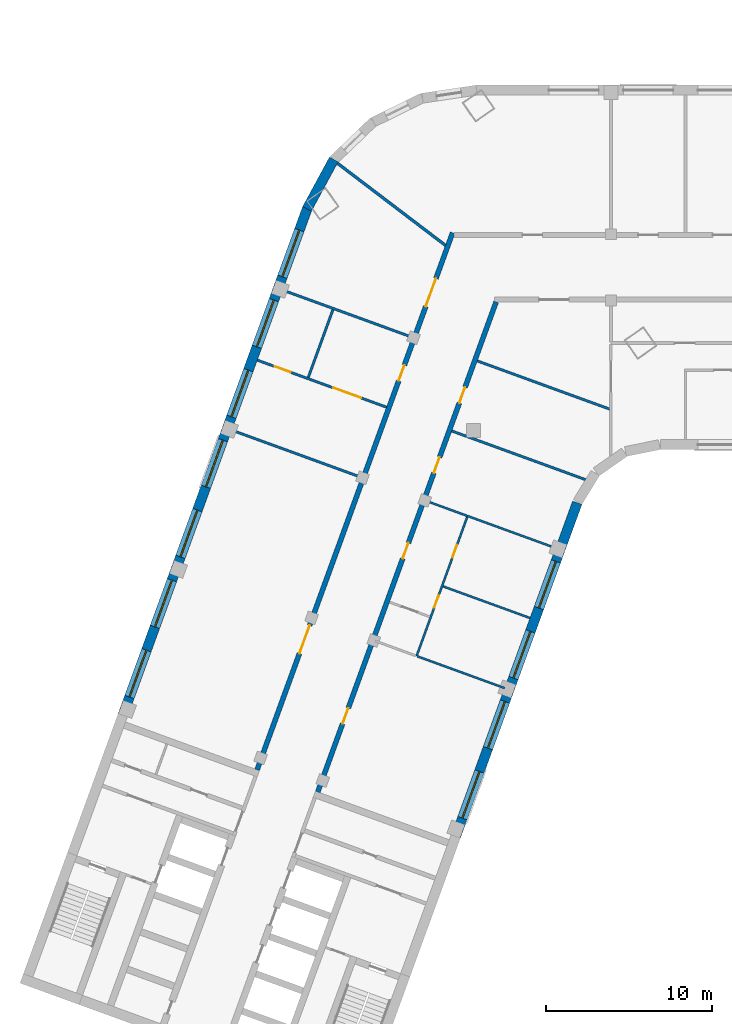
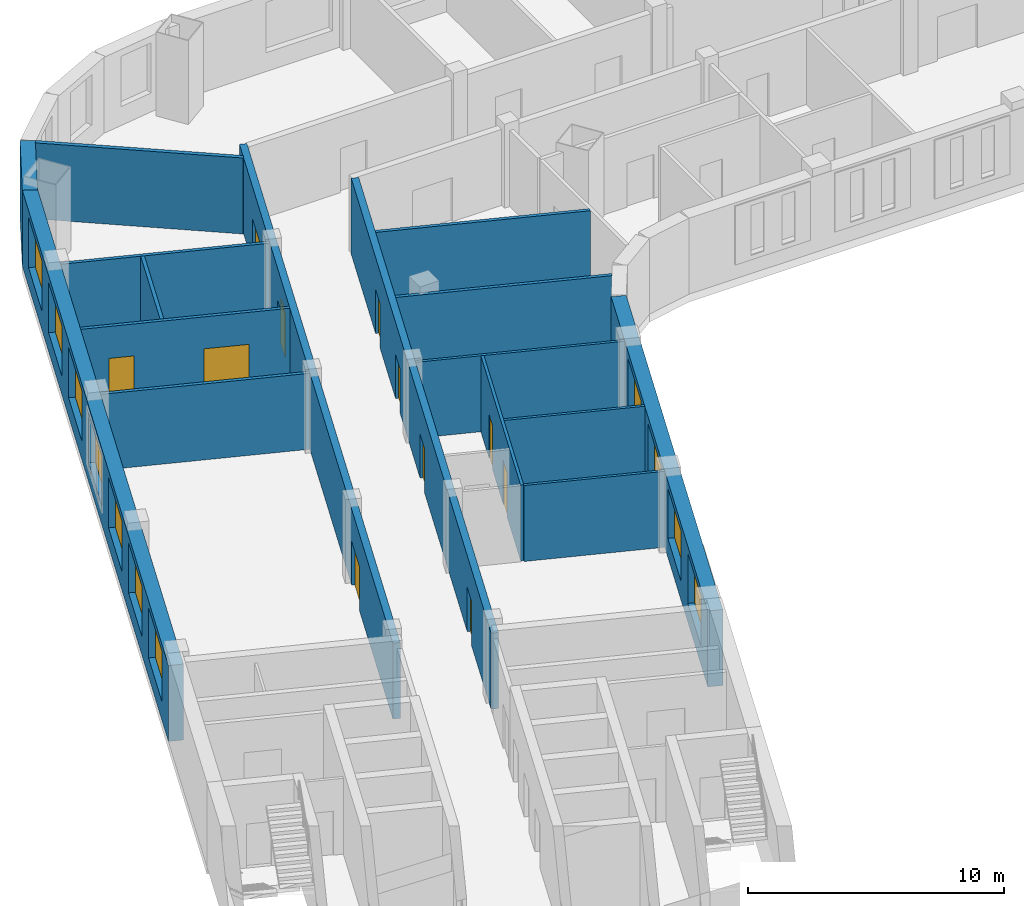
# One storey, part 3 of 10: 16 walls, 11 doors, 11 windows, 22 openings.
"""IFC4 building model written with IfcOpenShell, lengths in metres."""

from ifc_helpers import new_model, si_unit, direction, frame, frame_2d, origin, place, context, subcontext, project, spatial, rectangle, extrude, material, layer, layer_set, type_object, element, fill, save


model = new_model("IFC4")

# Units and contexts
model_context = context("Model", 3, precision=1e-05, world=origin(), true_north=direction((0.0, 1.0)))
body_context = subcontext(model_context, "Body", "Model", "MODEL_VIEW")
ifc_project = project(units=[si_unit("LENGTHUNIT", "METRE"), si_unit("AREAUNIT", "SQUARE_METRE"), si_unit("VOLUMEUNIT", "CUBIC_METRE"), si_unit("PLANEANGLEUNIT", "RADIAN"), si_unit("MASSUNIT", "GRAM", prefix="KILO")], contexts=[model_context])

# Site, building, storey
site_placement = place(None, origin())
site = spatial("IfcSite", under=ifc_project, at=site_placement, CompositionType="ELEMENT")
building_placement = place(site_placement, origin())
building = spatial("IfcBuilding", under=site, at=building_placement, Name="Skarvind Civic Tower", CompositionType="ELEMENT")
storey_placement = place(building_placement, frame((0.0, 0.0, 101.0)))
storey = spatial("IfcBuildingStorey", under=building, at=storey_placement, Name="L23", CompositionType="ELEMENT", Elevation=101.0)

# Wall
ifc_material_1 = material(Name="Acoustic gypsum board on steel studs", Category="steel")
ifc_layer_1 = layer(ifc_material_1, 0.175048828125)
ifc_layer_set_1 = layer_set([ifc_layer_1], Name="ACOUSTIC MEETING-ROOM PARTITION 175")
wall_type_1 = type_object("IfcWallType", Name="ACOUSTIC MEETING-ROOM PARTITION 175", PredefinedType="PARTITIONING", material=ifc_layer_set_1)
wall_1_placement = place(storey_placement, frame((44.256103515625, 129.326904296875, 0.0), z_axis=(0.0, 0.0, 1.0), x_axis=(-0.796040504107, 0.605243352563, 0.0)))
element("IfcWall", 1, at=wall_1_placement, inside=storey, type_object=wall_type_1, Name="Partition 23.013", PredefinedType="PARTITIONING", context=body_context, shape_type="SweptSolid", body=[
    extrude(rectangle(XDim=8.197021484375, YDim=0.175048828125, at=frame_2d((4.0986328125, 0.0))), origin(), (0.0, 0.0, 1.0), 3.625),
])

# Wall, openings, doors
ifc_material_2 = material(Name="Fire-rated gypsum board on steel studs", Category="steel")
ifc_layer_2 = layer(ifc_material_2, 0.300048828125)
ifc_layer_set_2 = layer_set([ifc_layer_2], Name="CORRIDOR WALL 300")
wall_type_2 = type_object("IfcWallType", Name="CORRIDOR WALL 300", PredefinedType="PARTITIONING", material=ifc_layer_set_2)
wall_2_placement = place(storey_placement, frame((32.881103515625, 97.656982421875, 0.0), z_axis=(0.0, 0.0, 1.0), x_axis=(0.342017360004, 0.939693633828, 0.0)))
wall_2 = element("IfcWall", 2, at=wall_2_placement, inside=storey, type_object=wall_type_2, Name="Partition 23.002", PredefinedType="PARTITIONING", context=body_context, shape_type="SweptSolid", body=[
    extrude(rectangle(XDim=34.515625, YDim=0.300048828125, at=frame_2d((17.2578125, 0.0))), origin(), (0.0, 0.0, 1.0), 3.625),
])
opening_1_placement = place(wall_2_placement, frame((7.474853515625, 0.0, 0.0)))
opening_1 = element("IfcOpeningElement", 3, at=opening_1_placement, cuts=wall_2, Name="Opening L23-D015", PredefinedType="OPENING", context=body_context, shape_type="SweptSolid", body=[
    extrude(rectangle(XDim=1.800048828125, YDim=2.10009765625, at=frame_2d((0.89990234375, 1.050048828125))), frame((0.0, 0.159912109375, 0.0), z_axis=(0.0, -1.0, 0.0), x_axis=(1.0, 0.0, 0.0)), (0.0, 0.0, 1.0), 0.320068359375),
])
opening_2_placement = place(wall_2_placement, frame((25.000244140625, 0.0, 0.0)))
opening_2 = element("IfcOpeningElement", 4, at=opening_2_placement, cuts=wall_2, Name="Opening L23-D016", PredefinedType="OPENING", context=body_context, shape_type="SweptSolid", body=[
    extrude(rectangle(XDim=1.0, YDim=2.10009765625, at=frame_2d((0.5, 1.050048828125))), frame((0.0, 0.159912109375, 0.0), z_axis=(0.0, -1.0, 0.0), x_axis=(1.0, 0.0, 0.0)), (0.0, 0.0, 1.0), 0.320068359375),
])
opening_3_placement = place(wall_2_placement, frame((29.778564453125, 0.0, 0.0)))
opening_3 = element("IfcOpeningElement", 5, at=opening_3_placement, cuts=wall_2, Name="Opening L23-D027", PredefinedType="OPENING", context=body_context, shape_type="SweptSolid", body=[
    extrude(rectangle(XDim=1.800048828125, YDim=2.10009765625, at=frame_2d((0.89990234375, 1.050048828125))), frame((0.0, 0.159912109375, 0.0), z_axis=(0.0, -1.0, 0.0), x_axis=(1.0, 0.0, 0.0)), (0.0, 0.0, 1.0), 0.320068359375),
])
ifc_material_3 = material(Name="Fire-rated timber door leaf", Category="wood")
door_type_1 = type_object("IfcDoorType", Name="FD1 1000x2100", OperationType="NOTDEFINED", PredefinedType="DOOR", material=ifc_material_3)
door_1_placement = place(opening_2_placement, origin())
door_1 = element("IfcDoor", 6, at=door_1_placement, inside=storey, type_object=door_type_1, Name="Door L23-D016", OperationType="SINGLE_SWING_LEFT", OverallHeight=2.10009765625, OverallWidth=1.0, PredefinedType="DOOR", context=body_context, shape_type="SweptSolid", body=[
    extrude(rectangle(XDim=1.0, YDim=2.10009765625, at=frame_2d((0.5, 1.050048828125))), frame((0.0, 0.02490234375, 0.0), z_axis=(0.0, -1.0, 0.0), x_axis=(1.0, 0.0, 0.0)), (0.0, 0.0, 1.0), 0.050048828125),
])
fill(opening_2, door_1)
door_type_2 = type_object("IfcDoorType", Name="FD4 1800x2100", OperationType="NOTDEFINED", PredefinedType="DOOR", material=ifc_material_3)
door_2_placement = place(opening_1_placement, origin())
door_2 = element("IfcDoor", 7, at=door_2_placement, inside=storey, type_object=door_type_2, Name="Door L23-D015", OperationType="DOUBLE_DOOR_SINGLE_SWING", OverallHeight=2.10009765625, OverallWidth=1.800048828125, PredefinedType="DOOR", context=body_context, shape_type="SweptSolid", body=[
    extrude(rectangle(XDim=1.800048828125, YDim=2.10009765625, at=frame_2d((0.89990234375, 1.050048828125))), frame((0.0, 0.02490234375, 0.0), z_axis=(0.0, -1.0, 0.0), x_axis=(1.0, 0.0, 0.0)), (0.0, 0.0, 1.0), 0.050048828125),
])
fill(opening_1, door_2)
door_3_placement = place(opening_3_placement, origin())
door_3 = element("IfcDoor", 8, at=door_3_placement, inside=storey, type_object=door_type_2, Name="Door L23-D027", OperationType="DOUBLE_DOOR_SINGLE_SWING", OverallHeight=2.10009765625, OverallWidth=1.800048828125, PredefinedType="DOOR", context=body_context, shape_type="SweptSolid", body=[
    extrude(rectangle(XDim=1.800048828125, YDim=2.10009765625, at=frame_2d((0.89990234375, 1.050048828125))), frame((0.0, 0.02490234375, 0.0), z_axis=(0.0, -1.0, 0.0), x_axis=(1.0, 0.0, 0.0)), (0.0, 0.0, 1.0), 0.050048828125),
])
fill(opening_3, door_3)

wall_3_placement = place(storey_placement, frame((47.31396484375, 125.908935546875, 0.0), z_axis=(0.0, 0.0, 1.0), x_axis=(-0.342010770371, -0.939696032209, 0.0)))
wall_3 = element("IfcWall", 9, at=wall_3_placement, inside=storey, type_object=wall_type_2, Name="Partition 23.016", PredefinedType="PARTITIONING", context=body_context, shape_type="SweptSolid", body=[
    extrude(rectangle(XDim=31.484619140625, YDim=0.300048828125, at=frame_2d((15.7421875, 0.0))), origin(), (0.0, 0.0, 1.0), 3.625),
])
opening_4_placement = place(wall_3_placement, frame((26.109619140625, 0.0, 0.0)))
opening_4 = element("IfcOpeningElement", 10, at=opening_4_placement, cuts=wall_3, Name="Opening L23-D019", PredefinedType="OPENING", context=body_context, shape_type="SweptSolid", body=[
    extrude(rectangle(XDim=1.0, YDim=2.10009765625, at=frame_2d((0.5, 1.050048828125))), frame((0.0, 0.159912109375, 0.0), z_axis=(0.0, -1.0, 0.0), x_axis=(1.0, 0.0, 0.0)), (0.0, 0.0, 1.0), 0.320068359375),
])
opening_5_placement = place(wall_3_placement, frame((15.48486328125, 0.0, 0.0)))
opening_5 = element("IfcOpeningElement", 11, at=opening_5_placement, cuts=wall_3, Name="Opening L23-D020", PredefinedType="OPENING", context=body_context, shape_type="SweptSolid", body=[
    extrude(rectangle(XDim=1.0, YDim=2.10009765625, at=frame_2d((0.5, 1.050048828125))), frame((0.0, 0.159912109375, 0.0), z_axis=(0.0, -1.0, 0.0), x_axis=(1.0, 0.0, 0.0)), (0.0, 0.0, 1.0), 0.320068359375),
])
opening_6_placement = place(wall_3_placement, frame((9.984619140625, 0.0, 0.0)))
opening_6 = element("IfcOpeningElement", 12, at=opening_6_placement, cuts=wall_3, Name="Opening L23-D024", PredefinedType="OPENING", context=body_context, shape_type="SweptSolid", body=[
    extrude(rectangle(XDim=1.0, YDim=2.10009765625, at=frame_2d((0.5, 1.050048828125))), frame((0.0, 0.159912109375, 0.0), z_axis=(0.0, -1.0, 0.0), x_axis=(1.0, 0.0, 0.0)), (0.0, 0.0, 1.0), 0.320068359375),
])
opening_7_placement = place(wall_3_placement, frame((5.484130859375, 0.0, 0.0)))
opening_7 = element("IfcOpeningElement", 13, at=opening_7_placement, cuts=wall_3, Name="Opening L23-D025", PredefinedType="OPENING", context=body_context, shape_type="SweptSolid", body=[
    extrude(rectangle(XDim=1.0, YDim=2.10009765625, at=frame_2d((0.5, 1.050048828125))), frame((0.0, 0.159912109375, 0.0), z_axis=(0.0, -1.0, 0.0), x_axis=(1.0, 0.0, 0.0)), (0.0, 0.0, 1.0), 0.320068359375),
])
door_4_placement = place(opening_4_placement, origin())
door_4 = element("IfcDoor", 14, at=door_4_placement, inside=storey, type_object=door_type_1, Name="Door L23-D019", OperationType="SINGLE_SWING_RIGHT", OverallHeight=2.10009765625, OverallWidth=1.0, PredefinedType="DOOR", context=body_context, shape_type="SweptSolid", body=[
    extrude(rectangle(XDim=1.0, YDim=2.10009765625, at=frame_2d((0.5, 1.050048828125))), frame((0.0, 0.02490234375, 0.0), z_axis=(0.0, -1.0, 0.0), x_axis=(1.0, 0.0, 0.0)), (0.0, 0.0, 1.0), 0.050048828125),
])
fill(opening_4, door_4)
door_5_placement = place(opening_5_placement, origin())
door_5 = element("IfcDoor", 15, at=door_5_placement, inside=storey, type_object=door_type_1, Name="Door L23-D020", OperationType="SINGLE_SWING_LEFT", OverallHeight=2.10009765625, OverallWidth=1.0, PredefinedType="DOOR", context=body_context, shape_type="SweptSolid", body=[
    extrude(rectangle(XDim=1.0, YDim=2.10009765625, at=frame_2d((0.5, 1.050048828125))), frame((0.0, 0.02490234375, 0.0), z_axis=(0.0, -1.0, 0.0), x_axis=(1.0, 0.0, 0.0)), (0.0, 0.0, 1.0), 0.050048828125),
])
fill(opening_5, door_5)
door_6_placement = place(opening_6_placement, origin())
door_6 = element("IfcDoor", 16, at=door_6_placement, inside=storey, type_object=door_type_1, Name="Door L23-D024", OperationType="SINGLE_SWING_LEFT", OverallHeight=2.10009765625, OverallWidth=1.0, PredefinedType="DOOR", context=body_context, shape_type="SweptSolid", body=[
    extrude(rectangle(XDim=1.0, YDim=2.10009765625, at=frame_2d((0.5, 1.050048828125))), frame((0.0, 0.02490234375, 0.0), z_axis=(0.0, -1.0, 0.0), x_axis=(1.0, 0.0, 0.0)), (0.0, 0.0, 1.0), 0.050048828125),
])
fill(opening_6, door_6)
door_7_placement = place(opening_7_placement, origin())
door_7 = element("IfcDoor", 17, at=door_7_placement, inside=storey, type_object=door_type_1, Name="Door L23-D025", OperationType="SINGLE_SWING_LEFT", OverallHeight=2.10009765625, OverallWidth=1.0, PredefinedType="DOOR", context=body_context, shape_type="SweptSolid", body=[
    extrude(rectangle(XDim=1.0, YDim=2.10009765625, at=frame_2d((0.5, 1.050048828125))), frame((0.0, 0.02490234375, 0.0), z_axis=(0.0, -1.0, 0.0), x_axis=(1.0, 0.0, 0.0)), (0.0, 0.0, 1.0), 0.050048828125),
])
fill(opening_7, door_7)

# Wall
ifc_material_4 = material(Name="Plasterboard partition on steel studs", Category="steel")
ifc_layer_3 = layer(ifc_material_4, 0.14990234375)
ifc_layer_set_3 = layer_set([ifc_layer_3], Name="PARTITION 150")
wall_type_3 = type_object("IfcWallType", Name="PARTITION 150", PredefinedType="PARTITIONING", material=ifc_layer_set_3)
wall_4_placement = place(storey_placement, frame((31.35302734375, 118.166015625, 0.0), z_axis=(0.0, 0.0, 1.0), x_axis=(0.939687752599, -0.342033518263, 0.0)))
element("IfcWall", 18, at=wall_4_placement, inside=storey, type_object=wall_type_3, Name="Partition 23.001", PredefinedType="PARTITIONING", context=body_context, shape_type="SweptSolid", body=[
    extrude(rectangle(XDim=8.30078125, YDim=0.14990234375, at=frame_2d((4.150390625, 0.0))), origin(), (0.0, 0.0, 1.0), 3.625),
])

# Wall, openings, doors
wall_5_placement = place(storey_placement, frame((32.89208984375, 122.39501953125, 0.0), z_axis=(0.0, 0.0, 1.0), x_axis=(0.939684311623, -0.3420429717, 0.0)))
wall_5 = element("IfcWall", 19, at=wall_5_placement, inside=storey, type_object=wall_type_3, Name="Partition 23.003", PredefinedType="PARTITIONING", context=body_context, shape_type="SweptSolid", body=[
    extrude(rectangle(XDim=8.300537109375, YDim=0.14990234375, at=frame_2d((4.150390625, 0.0))), origin(), (0.0, 0.0, 1.0), 3.625),
])
opening_8_placement = place(wall_5_placement, frame((1.12548828125, 0.0, 0.0)))
opening_8 = element("IfcOpeningElement", 20, at=opening_8_placement, cuts=wall_5, Name="Opening L23-D017", PredefinedType="OPENING", context=body_context, shape_type="SweptSolid", body=[
    extrude(rectangle(XDim=1.0, YDim=2.10009765625, at=frame_2d((0.5, 1.050048828125))), frame((0.0, 0.0849609375, 0.0), z_axis=(0.0, -1.0, 0.0), x_axis=(1.0, 0.0, 0.0)), (0.0, 0.0, 1.0), 0.169921875),
])
opening_9_placement = place(wall_5_placement, frame((4.88427734375, 0.0, 0.0)))
opening_9 = element("IfcOpeningElement", 21, at=opening_9_placement, cuts=wall_5, Name="Opening L23-D018", PredefinedType="OPENING", context=body_context, shape_type="SweptSolid", body=[
    extrude(rectangle(XDim=1.800048828125, YDim=2.10009765625, at=frame_2d((0.89990234375, 1.050048828125))), frame((0.0, 0.0849609375, 0.0), z_axis=(0.0, -1.0, 0.0), x_axis=(1.0, 0.0, 0.0)), (0.0, 0.0, 1.0), 0.169921875),
])
ifc_material_5 = material(Name="Timber door leaf", Category="wood")
door_type_3 = type_object("IfcDoorType", Name="D1 1000x2100", OperationType="NOTDEFINED", PredefinedType="DOOR", material=ifc_material_5)
door_8_placement = place(opening_8_placement, origin())
door_8 = element("IfcDoor", 22, at=door_8_placement, inside=storey, type_object=door_type_3, Name="Door L23-D017", OperationType="SINGLE_SWING_RIGHT", OverallHeight=2.10009765625, OverallWidth=1.0, PredefinedType="DOOR", context=body_context, shape_type="SweptSolid", body=[
    extrude(rectangle(XDim=1.0, YDim=2.10009765625, at=frame_2d((0.5, 1.050048828125))), frame((0.0, 0.02490234375, 0.0), z_axis=(0.0, -1.0, 0.0), x_axis=(1.0, 0.0, 0.0)), (0.0, 0.0, 1.0), 0.050048828125),
])
fill(opening_8, door_8)
door_type_4 = type_object("IfcDoorType", Name="D4 1800x2100", OperationType="NOTDEFINED", PredefinedType="DOOR", material=ifc_material_5)
door_9_placement = place(opening_9_placement, origin())
door_9 = element("IfcDoor", 23, at=door_9_placement, inside=storey, type_object=door_type_4, Name="Door L23-D018", OperationType="DOUBLE_DOOR_SINGLE_SWING", OverallHeight=2.10009765625, OverallWidth=1.800048828125, PredefinedType="DOOR", context=body_context, shape_type="SweptSolid", body=[
    extrude(rectangle(XDim=1.800048828125, YDim=2.10009765625, at=frame_2d((0.89990234375, 1.050048828125))), frame((0.0, 0.02490234375, 0.0), z_axis=(0.0, -1.0, 0.0), x_axis=(1.0, 0.0, 0.0)), (0.0, 0.0, 1.0), 0.050048828125),
])
fill(opening_9, door_9)

# Walls
wall_6_placement = place(storey_placement, frame((34.430908203125, 126.6240234375, 0.0), z_axis=(0.0, 0.0, 1.0), x_axis=(0.939687752599, -0.342033518263, 0.0)))
element("IfcWall", 24, at=wall_6_placement, inside=storey, type_object=wall_type_3, Name="Partition 23.004", PredefinedType="PARTITIONING", context=body_context, shape_type="SweptSolid", body=[
    extrude(rectangle(XDim=8.30078125, YDim=0.14990234375, at=frame_2d((4.150390625, 0.0))), origin(), (0.0, 0.0, 1.0), 3.625),
])
wall_7_placement = place(storey_placement, frame((37.4599609375, 125.44189453125, 0.0), z_axis=(0.0, 0.0, 1.0), x_axis=(-0.341783611499, -0.939778677621, 0.0)))
element("IfcWall", 25, at=wall_7_placement, inside=storey, type_object=wall_type_3, Name="Partition 23.005", PredefinedType="PARTITIONING", context=body_context, shape_type="SweptSolid", body=[
    extrude(rectangle(XDim=4.350830078125, YDim=0.14990234375, at=frame_2d((2.17529296875, 0.0))), origin(), (0.0, 0.0, 1.0), 3.625),
])
wall_8_placement = place(storey_placement, frame((44.638916015625, 118.1201171875, 0.0), z_axis=(0.0, 0.0, 1.0), x_axis=(0.939669707102, -0.342083091593, 0.0)))
element("IfcWall", 26, at=wall_8_placement, inside=storey, type_object=wall_type_3, Name="Partition 23.014", PredefinedType="PARTITIONING", context=body_context, shape_type="SweptSolid", body=[
    extrude(rectangle(XDim=8.58935546875, YDim=0.14990234375, at=frame_2d((4.294677734375, 0.0))), origin(), (0.0, 0.0, 1.0), 3.625),
])
wall_9_placement = place(storey_placement, frame((54.179931640625, 119.43603515625, 0.0), z_axis=(0.0, 0.0, 1.0), x_axis=(-0.939669476286, 0.342083725624, 0.0)))
element("IfcWall", 27, at=wall_9_placement, inside=storey, type_object=wall_type_3, Name="Partition 23.018", PredefinedType="PARTITIONING", context=body_context, shape_type="SweptSolid", body=[
    extrude(rectangle(XDim=8.515625, YDim=0.14990234375, at=frame_2d((4.2578125, 0.0))), origin(), (0.0, 0.0, 1.0), 3.625),
])
ifc_material_6 = material(Name="Moisture-resistant gypsum board on steel studs", Category="steel")
ifc_layer_4 = layer(ifc_material_6, 0.125)
ifc_layer_set_4 = layer_set([ifc_layer_4], Name="WC PARTITION 125")
wall_type_4 = type_object("IfcWallType", Name="WC PARTITION 125", PredefinedType="PARTITIONING", material=ifc_layer_set_4)
wall_10_placement = place(storey_placement, frame((42.568115234375, 104.507080078125, 0.0), z_axis=(0.0, 0.0, 1.0), x_axis=(0.939681160367, -0.342051628927, 0.0)))
element("IfcWall", 28, at=wall_10_placement, inside=storey, type_object=wall_type_4, Name="Partition 23.008", PredefinedType="PARTITIONING", context=body_context, shape_type="SweptSolid", body=[
    extrude(rectangle(XDim=5.590087890625, YDim=0.125, at=frame_2d((2.794921875, 0.0))), origin(), (0.0, 0.0, 1.0), 3.625),
])

# Wall, openings, doors
wall_11_placement = place(storey_placement, frame((45.569091796875, 112.926025390625, 0.0), z_axis=(0.0, 0.0, 1.0), x_axis=(-0.342072050759, -0.939673726402, 0.0)))
wall_11 = element("IfcWall", 29, at=wall_11_placement, inside=storey, type_object=wall_type_4, Name="Partition 23.009", PredefinedType="PARTITIONING", context=body_context, shape_type="SweptSolid", body=[
    extrude(rectangle(XDim=8.93701171875, YDim=0.125, at=frame_2d((4.468505859375, 0.0))), origin(), (0.0, 0.0, 1.0), 3.625),
])
opening_10_placement = place(wall_11_placement, frame((1.808837890625, 0.0, 0.0)))
opening_10 = element("IfcOpeningElement", 30, at=opening_10_placement, cuts=wall_11, Name="Opening L23-D022", PredefinedType="OPENING", context=body_context, shape_type="SweptSolid", body=[
    extrude(rectangle(XDim=0.800048828125, YDim=2.10009765625, at=frame_2d((0.39990234375, 1.050048828125))), frame((0.0, 0.072509765625, 0.0), z_axis=(0.0, -1.0, 0.0), x_axis=(1.0, 0.0, 0.0)), (0.0, 0.0, 1.0), 0.14501953125),
])
opening_11_placement = place(wall_11_placement, frame((5.0390625, 0.0, 0.0)))
opening_11 = element("IfcOpeningElement", 31, at=opening_11_placement, cuts=wall_11, Name="Opening L23-D023", PredefinedType="OPENING", context=body_context, shape_type="SweptSolid", body=[
    extrude(rectangle(XDim=0.800048828125, YDim=2.10009765625, at=frame_2d((0.39990234375, 1.050048828125))), frame((0.0, 0.072509765625, 0.0), z_axis=(0.0, -1.0, 0.0), x_axis=(1.0, 0.0, 0.0)), (0.0, 0.0, 1.0), 0.14501953125),
])
door_type_5 = type_object("IfcDoorType", Name="DOOR 800X2100 TIMBER", OperationType="NOTDEFINED", PredefinedType="DOOR", material=ifc_material_5)
door_10_placement = place(opening_10_placement, origin())
door_10 = element("IfcDoor", 32, at=door_10_placement, inside=storey, type_object=door_type_5, Name="Door L23-D022", OperationType="SINGLE_SWING_RIGHT", OverallHeight=2.10009765625, OverallWidth=0.800048828125, PredefinedType="DOOR", context=body_context, shape_type="SweptSolid", body=[
    extrude(rectangle(XDim=0.800048828125, YDim=2.10009765625, at=frame_2d((0.39990234375, 1.050048828125))), frame((0.0, 0.02490234375, 0.0), z_axis=(0.0, -1.0, 0.0), x_axis=(1.0, 0.0, 0.0)), (0.0, 0.0, 1.0), 0.050048828125),
])
fill(opening_10, door_10)
door_11_placement = place(opening_11_placement, origin())
door_11 = element("IfcDoor", 33, at=door_11_placement, inside=storey, type_object=door_type_5, Name="Door L23-D023", OperationType="SINGLE_SWING_LEFT", OverallHeight=2.10009765625, OverallWidth=0.800048828125, PredefinedType="DOOR", context=body_context, shape_type="SweptSolid", body=[
    extrude(rectangle(XDim=0.800048828125, YDim=2.10009765625, at=frame_2d((0.39990234375, 1.050048828125))), frame((0.0, 0.02490234375, 0.0), z_axis=(0.0, -1.0, 0.0), x_axis=(1.0, 0.0, 0.0)), (0.0, 0.0, 1.0), 0.050048828125),
])
fill(opening_11, door_11)

# Walls
wall_12_placement = place(storey_placement, frame((43.10009765625, 113.89111328125, 0.0), z_axis=(0.0, 0.0, 1.0), x_axis=(0.939670544866, -0.342080790328, 0.0)))
element("IfcWall", 34, at=wall_12_placement, inside=storey, type_object=wall_type_4, Name="Partition 23.010", PredefinedType="PARTITIONING", context=body_context, shape_type="SweptSolid", body=[
    extrude(rectangle(XDim=8.299560546875, YDim=0.125, at=frame_2d((4.14990234375, 0.0))), origin(), (0.0, 0.0, 1.0), 3.625),
])
wall_13_placement = place(storey_placement, frame((44.110107421875, 108.735107421875, 0.0), z_axis=(0.0, 0.0, 1.0), x_axis=(0.93967599021, -0.342065832002, 0.0)))
element("IfcWall", 35, at=wall_13_placement, inside=storey, type_object=wall_type_4, Name="Partition 23.012", PredefinedType="PARTITIONING", context=body_context, shape_type="SweptSolid", body=[
    extrude(rectangle(XDim=5.5869140625, YDim=0.125, at=frame_2d((2.79345703125, 0.0))), origin(), (0.0, 0.0, 1.0), 3.625),
])

# Wall, openings, windows
ifc_material_7 = material(Name="Limestone masonry cladding on insulated backing", Category="masonry")
ifc_layer_5 = layer(ifc_material_7, 0.60009765625)
ifc_layer_set_5 = layer_set([ifc_layer_5], Name="WX1 STONE FACADE WALL 600")
wall_type_5 = type_object("IfcWallType", Name="WX1 STONE FACADE WALL 600", PredefinedType="SOLIDWALL", material=ifc_layer_set_5)
wall_14_placement = place(storey_placement, frame((52.212158203125, 113.78271484375, 0.0), z_axis=(0.0, 0.0, 1.0), x_axis=(-0.34202521188, -0.939690775968, 0.0)))
wall_14 = element("IfcWall", 36, at=wall_14_placement, inside=storey, type_object=wall_type_5, Name="STONE FACADE WALL", PredefinedType="SOLIDWALL", context=body_context, shape_type="SweptSolid", body=[
    extrude(rectangle(XDim=21.744873046875, YDim=0.60009765625, at=frame_2d((10.87255859375, 0.0))), origin(), (0.0, 0.0, 1.0), 3.625),
])
opening_12_placement = place(wall_14_placement, frame((3.764892578125, 0.0, 0.89990234375)))
opening_12 = element("IfcOpeningElement", 37, at=opening_12_placement, cuts=wall_14, Name="Opening WN1", PredefinedType="OPENING", context=body_context, shape_type="SweptSolid", body=[
    extrude(rectangle(XDim=3.0, YDim=2.39990234375, at=frame_2d((1.5, 1.199951171875))), frame((0.0, 0.31005859375, 0.0), z_axis=(0.0, -1.0, 0.0), x_axis=(1.0, 0.0, 0.0)), (0.0, 0.0, 1.0), 0.6201171875),
])
opening_13_placement = place(wall_14_placement, frame((8.264892578125, 0.0, 0.89990234375)))
opening_13 = element("IfcOpeningElement", 38, at=opening_13_placement, cuts=wall_14, Name="Opening WN1", PredefinedType="OPENING", context=body_context, shape_type="SweptSolid", body=[
    extrude(rectangle(XDim=3.0, YDim=2.39990234375, at=frame_2d((1.5, 1.199951171875))), frame((0.0, 0.31005859375, 0.0), z_axis=(0.0, -1.0, 0.0), x_axis=(1.0, 0.0, 0.0)), (0.0, 0.0, 1.0), 0.6201171875),
])
opening_14_placement = place(wall_14_placement, frame((12.764892578125, 0.0, 0.89990234375)))
opening_14 = element("IfcOpeningElement", 39, at=opening_14_placement, cuts=wall_14, Name="Opening WN1", PredefinedType="OPENING", context=body_context, shape_type="SweptSolid", body=[
    extrude(rectangle(XDim=3.0, YDim=2.39990234375, at=frame_2d((1.5, 1.199951171875))), frame((0.0, 0.31005859375, 0.0), z_axis=(0.0, -1.0, 0.0), x_axis=(1.0, 0.0, 0.0)), (0.0, 0.0, 1.0), 0.6201171875),
])
opening_15_placement = place(wall_14_placement, frame((17.264892578125, 0.0, 0.89990234375)))
opening_15 = element("IfcOpeningElement", 40, at=opening_15_placement, cuts=wall_14, Name="Opening WN1", PredefinedType="OPENING", context=body_context, shape_type="SweptSolid", body=[
    extrude(rectangle(XDim=3.0, YDim=2.39990234375, at=frame_2d((1.5, 1.199951171875))), frame((0.0, 0.31005859375, 0.0), z_axis=(0.0, -1.0, 0.0), x_axis=(1.0, 0.0, 0.0)), (0.0, 0.0, 1.0), 0.6201171875),
])
ifc_material_8 = material(Name="Timber frame, double glazing, timber-lined reveal", Category="wood")
window_type = type_object("IfcWindowType", Name="WN1 PUNCHED STONE WINDOW 3000 x 2400", PartitioningType="SINGLE_PANEL", PredefinedType="WINDOW", material=ifc_material_8)
window_1_placement = place(opening_12_placement, origin())
window_1 = element("IfcWindow", 41, at=window_1_placement, inside=storey, type_object=window_type, Name="WN1 WINDOW", OverallHeight=2.39990234375, OverallWidth=3.0, PartitioningType="SINGLE_PANEL", PredefinedType="WINDOW", context=body_context, shape_type="SweptSolid", body=[
    extrude(rectangle(XDim=3.0, YDim=2.39990234375, at=frame_2d((1.5, 1.199951171875))), frame((0.0, 0.030029296875, 0.0), z_axis=(0.0, -1.0, 0.0), x_axis=(1.0, 0.0, 0.0)), (0.0, 0.0, 1.0), 0.06005859375),
])
fill(opening_12, window_1)
window_2_placement = place(opening_13_placement, origin())
window_2 = element("IfcWindow", 42, at=window_2_placement, inside=storey, type_object=window_type, Name="WN1 WINDOW", OverallHeight=2.39990234375, OverallWidth=3.0, PartitioningType="SINGLE_PANEL", PredefinedType="WINDOW", context=body_context, shape_type="SweptSolid", body=[
    extrude(rectangle(XDim=3.0, YDim=2.39990234375, at=frame_2d((1.5, 1.199951171875))), frame((0.0, 0.030029296875, 0.0), z_axis=(0.0, -1.0, 0.0), x_axis=(1.0, 0.0, 0.0)), (0.0, 0.0, 1.0), 0.06005859375),
])
fill(opening_13, window_2)
window_3_placement = place(opening_14_placement, origin())
window_3 = element("IfcWindow", 43, at=window_3_placement, inside=storey, type_object=window_type, Name="WN1 WINDOW", OverallHeight=2.39990234375, OverallWidth=3.0, PartitioningType="SINGLE_PANEL", PredefinedType="WINDOW", context=body_context, shape_type="SweptSolid", body=[
    extrude(rectangle(XDim=3.0, YDim=2.39990234375, at=frame_2d((1.5, 1.199951171875))), frame((0.0, 0.030029296875, 0.0), z_axis=(0.0, -1.0, 0.0), x_axis=(1.0, 0.0, 0.0)), (0.0, 0.0, 1.0), 0.06005859375),
])
fill(opening_14, window_3)
window_4_placement = place(opening_15_placement, origin())
window_4 = element("IfcWindow", 44, at=window_4_placement, inside=storey, type_object=window_type, Name="WN1 WINDOW", OverallHeight=2.39990234375, OverallWidth=3.0, PartitioningType="SINGLE_PANEL", PredefinedType="WINDOW", context=body_context, shape_type="SweptSolid", body=[
    extrude(rectangle(XDim=3.0, YDim=2.39990234375, at=frame_2d((1.5, 1.199951171875))), frame((0.0, 0.030029296875, 0.0), z_axis=(0.0, -1.0, 0.0), x_axis=(1.0, 0.0, 0.0)), (0.0, 0.0, 1.0), 0.06005859375),
])
fill(opening_15, window_4)

# Wall
wall_15_placement = place(storey_placement, frame((35.89453125, 131.529541015625, 0.0), z_axis=(0.0, 0.0, 1.0), x_axis=(0.476531180538, 0.879157570618, 0.0)))
element("IfcWall", 45, at=wall_15_placement, inside=storey, type_object=wall_type_5, Name="STONE FACADE WALL", PredefinedType="SOLIDWALL", context=body_context, shape_type="SweptSolid", body=[
    extrude(rectangle(XDim=3.392578125, YDim=0.60009765625, at=frame_2d((1.6962890625, 0.0))), origin(), (0.0, 0.0, 1.0), 3.625),
])

# Wall, openings, windows
wall_16_placement = place(storey_placement, frame((24.66552734375, 100.668701171875, 0.0), z_axis=(0.0, 0.0, 1.0), x_axis=(0.34201964167, 0.939692803373, 0.0)))
wall_16 = element("IfcWall", 46, at=wall_16_placement, inside=storey, type_object=wall_type_5, Name="STONE FACADE WALL", PredefinedType="SOLIDWALL", context=body_context, shape_type="SweptSolid", body=[
    extrude(rectangle(XDim=32.88427734375, YDim=0.60009765625, at=frame_2d((16.442138671875, 0.0))), origin(), (0.0, 0.0, 1.0), 3.625),
])
opening_16_placement = place(wall_16_placement, frame((1.47998046875, 0.0, 0.89990234375)))
opening_16 = element("IfcOpeningElement", 47, at=opening_16_placement, cuts=wall_16, Name="Opening WN1", PredefinedType="OPENING", context=body_context, shape_type="SweptSolid", body=[
    extrude(rectangle(XDim=3.0, YDim=2.39990234375, at=frame_2d((1.5, 1.199951171875))), frame((0.0, 0.31005859375, 0.0), z_axis=(0.0, -1.0, 0.0), x_axis=(1.0, 0.0, 0.0)), (0.0, 0.0, 1.0), 0.6201171875),
])
opening_17_placement = place(wall_16_placement, frame((5.97998046875, 0.0, 0.89990234375)))
opening_17 = element("IfcOpeningElement", 48, at=opening_17_placement, cuts=wall_16, Name="Opening WN1", PredefinedType="OPENING", context=body_context, shape_type="SweptSolid", body=[
    extrude(rectangle(XDim=3.0, YDim=2.39990234375, at=frame_2d((1.5, 1.199951171875))), frame((0.0, 0.31005859375, 0.0), z_axis=(0.0, -1.0, 0.0), x_axis=(1.0, 0.0, 0.0)), (0.0, 0.0, 1.0), 0.6201171875),
])
opening_18_placement = place(wall_16_placement, frame((10.47998046875, 0.0, 0.89990234375)))
opening_18 = element("IfcOpeningElement", 49, at=opening_18_placement, cuts=wall_16, Name="Opening WN1", PredefinedType="OPENING", context=body_context, shape_type="SweptSolid", body=[
    extrude(rectangle(XDim=3.0, YDim=2.39990234375, at=frame_2d((1.5, 1.199951171875))), frame((0.0, 0.31005859375, 0.0), z_axis=(0.0, -1.0, 0.0), x_axis=(1.0, 0.0, 0.0)), (0.0, 0.0, 1.0), 0.6201171875),
])
opening_19_placement = place(wall_16_placement, frame((14.97998046875, 0.0, 0.89990234375)))
opening_19 = element("IfcOpeningElement", 50, at=opening_19_placement, cuts=wall_16, Name="Opening WN1", PredefinedType="OPENING", context=body_context, shape_type="SweptSolid", body=[
    extrude(rectangle(XDim=3.0, YDim=2.39990234375, at=frame_2d((1.5, 1.199951171875))), frame((0.0, 0.31005859375, 0.0), z_axis=(0.0, -1.0, 0.0), x_axis=(1.0, 0.0, 0.0)), (0.0, 0.0, 1.0), 0.6201171875),
])
opening_20_placement = place(wall_16_placement, frame((19.47998046875, 0.0, 0.89990234375)))
opening_20 = element("IfcOpeningElement", 51, at=opening_20_placement, cuts=wall_16, Name="Opening WN1", PredefinedType="OPENING", context=body_context, shape_type="SweptSolid", body=[
    extrude(rectangle(XDim=3.0, YDim=2.39990234375, at=frame_2d((1.5, 1.199951171875))), frame((0.0, 0.31005859375, 0.0), z_axis=(0.0, -1.0, 0.0), x_axis=(1.0, 0.0, 0.0)), (0.0, 0.0, 1.0), 0.6201171875),
])
opening_21_placement = place(wall_16_placement, frame((23.97998046875, 0.0, 0.89990234375)))
opening_21 = element("IfcOpeningElement", 52, at=opening_21_placement, cuts=wall_16, Name="Opening WN1", PredefinedType="OPENING", context=body_context, shape_type="SweptSolid", body=[
    extrude(rectangle(XDim=3.0, YDim=2.39990234375, at=frame_2d((1.5, 1.199951171875))), frame((0.0, 0.31005859375, 0.0), z_axis=(0.0, -1.0, 0.0), x_axis=(1.0, 0.0, 0.0)), (0.0, 0.0, 1.0), 0.6201171875),
])
opening_22_placement = place(wall_16_placement, frame((28.47998046875, 0.0, 0.89990234375)))
opening_22 = element("IfcOpeningElement", 53, at=opening_22_placement, cuts=wall_16, Name="Opening WN1", PredefinedType="OPENING", context=body_context, shape_type="SweptSolid", body=[
    extrude(rectangle(XDim=3.0, YDim=2.39990234375, at=frame_2d((1.5, 1.199951171875))), frame((0.0, 0.31005859375, 0.0), z_axis=(0.0, -1.0, 0.0), x_axis=(1.0, 0.0, 0.0)), (0.0, 0.0, 1.0), 0.6201171875),
])
window_5_placement = place(opening_16_placement, origin())
window_5 = element("IfcWindow", 54, at=window_5_placement, inside=storey, type_object=window_type, Name="WN1 WINDOW", OverallHeight=2.39990234375, OverallWidth=3.0, PartitioningType="SINGLE_PANEL", PredefinedType="WINDOW", context=body_context, shape_type="SweptSolid", body=[
    extrude(rectangle(XDim=3.0, YDim=2.39990234375, at=frame_2d((1.5, 1.199951171875))), frame((0.0, 0.030029296875, 0.0), z_axis=(0.0, -1.0, 0.0), x_axis=(1.0, 0.0, 0.0)), (0.0, 0.0, 1.0), 0.06005859375),
])
fill(opening_16, window_5)
window_6_placement = place(opening_17_placement, origin())
window_6 = element("IfcWindow", 55, at=window_6_placement, inside=storey, type_object=window_type, Name="WN1 WINDOW", OverallHeight=2.39990234375, OverallWidth=3.0, PartitioningType="SINGLE_PANEL", PredefinedType="WINDOW", context=body_context, shape_type="SweptSolid", body=[
    extrude(rectangle(XDim=3.0, YDim=2.39990234375, at=frame_2d((1.5, 1.199951171875))), frame((0.0, 0.030029296875, 0.0), z_axis=(0.0, -1.0, 0.0), x_axis=(1.0, 0.0, 0.0)), (0.0, 0.0, 1.0), 0.06005859375),
])
fill(opening_17, window_6)
window_7_placement = place(opening_18_placement, origin())
window_7 = element("IfcWindow", 56, at=window_7_placement, inside=storey, type_object=window_type, Name="WN1 WINDOW", OverallHeight=2.39990234375, OverallWidth=3.0, PartitioningType="SINGLE_PANEL", PredefinedType="WINDOW", context=body_context, shape_type="SweptSolid", body=[
    extrude(rectangle(XDim=3.0, YDim=2.39990234375, at=frame_2d((1.5, 1.199951171875))), frame((0.0, 0.030029296875, 0.0), z_axis=(0.0, -1.0, 0.0), x_axis=(1.0, 0.0, 0.0)), (0.0, 0.0, 1.0), 0.06005859375),
])
fill(opening_18, window_7)
window_8_placement = place(opening_19_placement, origin())
window_8 = element("IfcWindow", 57, at=window_8_placement, inside=storey, type_object=window_type, Name="WN1 WINDOW", OverallHeight=2.39990234375, OverallWidth=3.0, PartitioningType="SINGLE_PANEL", PredefinedType="WINDOW", context=body_context, shape_type="SweptSolid", body=[
    extrude(rectangle(XDim=3.0, YDim=2.39990234375, at=frame_2d((1.5, 1.199951171875))), frame((0.0, 0.030029296875, 0.0), z_axis=(0.0, -1.0, 0.0), x_axis=(1.0, 0.0, 0.0)), (0.0, 0.0, 1.0), 0.06005859375),
])
fill(opening_19, window_8)
window_9_placement = place(opening_20_placement, origin())
window_9 = element("IfcWindow", 58, at=window_9_placement, inside=storey, type_object=window_type, Name="WN1 WINDOW", OverallHeight=2.39990234375, OverallWidth=3.0, PartitioningType="SINGLE_PANEL", PredefinedType="WINDOW", context=body_context, shape_type="SweptSolid", body=[
    extrude(rectangle(XDim=3.0, YDim=2.39990234375, at=frame_2d((1.5, 1.199951171875))), frame((0.0, 0.030029296875, 0.0), z_axis=(0.0, -1.0, 0.0), x_axis=(1.0, 0.0, 0.0)), (0.0, 0.0, 1.0), 0.06005859375),
])
fill(opening_20, window_9)
window_10_placement = place(opening_21_placement, origin())
window_10 = element("IfcWindow", 59, at=window_10_placement, inside=storey, type_object=window_type, Name="WN1 WINDOW", OverallHeight=2.39990234375, OverallWidth=3.0, PartitioningType="SINGLE_PANEL", PredefinedType="WINDOW", context=body_context, shape_type="SweptSolid", body=[
    extrude(rectangle(XDim=3.0, YDim=2.39990234375, at=frame_2d((1.5, 1.199951171875))), frame((0.0, 0.030029296875, 0.0), z_axis=(0.0, -1.0, 0.0), x_axis=(1.0, 0.0, 0.0)), (0.0, 0.0, 1.0), 0.06005859375),
])
fill(opening_21, window_10)
window_11_placement = place(opening_22_placement, origin())
window_11 = element("IfcWindow", 60, at=window_11_placement, inside=storey, type_object=window_type, Name="WN1 WINDOW", OverallHeight=2.39990234375, OverallWidth=3.0, PartitioningType="SINGLE_PANEL", PredefinedType="WINDOW", context=body_context, shape_type="SweptSolid", body=[
    extrude(rectangle(XDim=3.0, YDim=2.39990234375, at=frame_2d((1.5, 1.199951171875))), frame((0.0, 0.030029296875, 0.0), z_axis=(0.0, -1.0, 0.0), x_axis=(1.0, 0.0, 0.0)), (0.0, 0.0, 1.0), 0.06005859375),
])
fill(opening_22, window_11)

save(model, "model.ifc")
